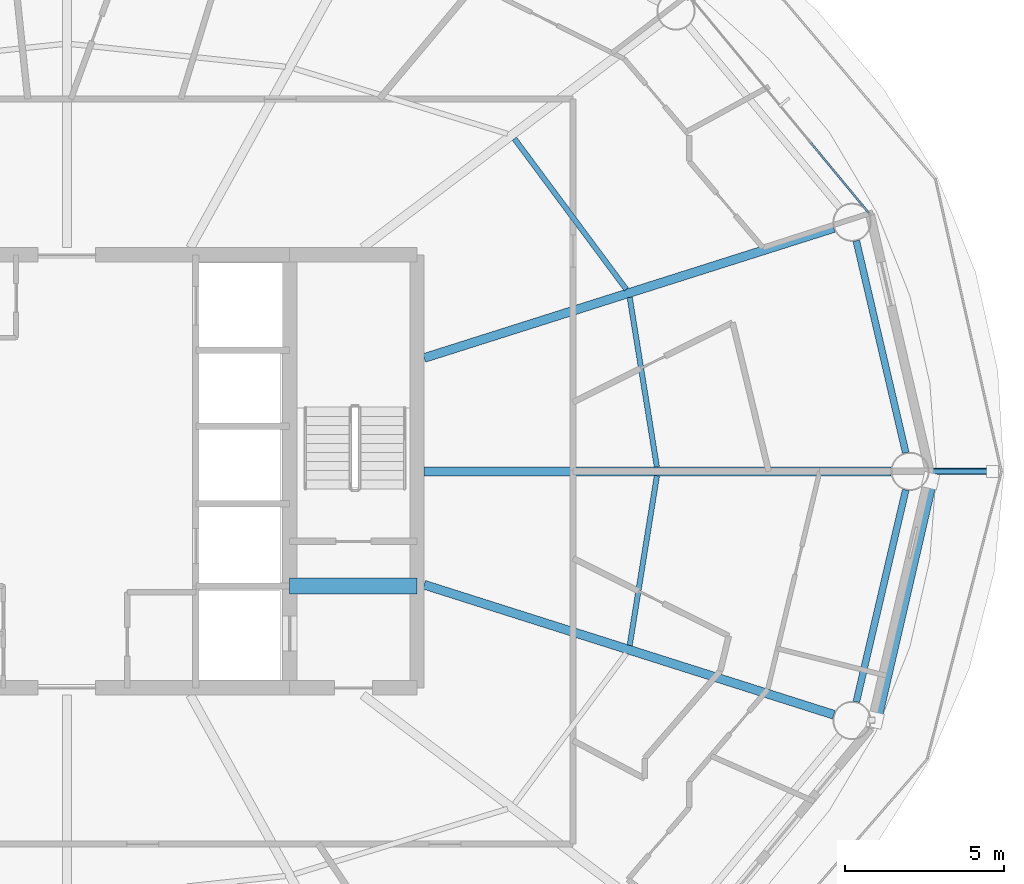
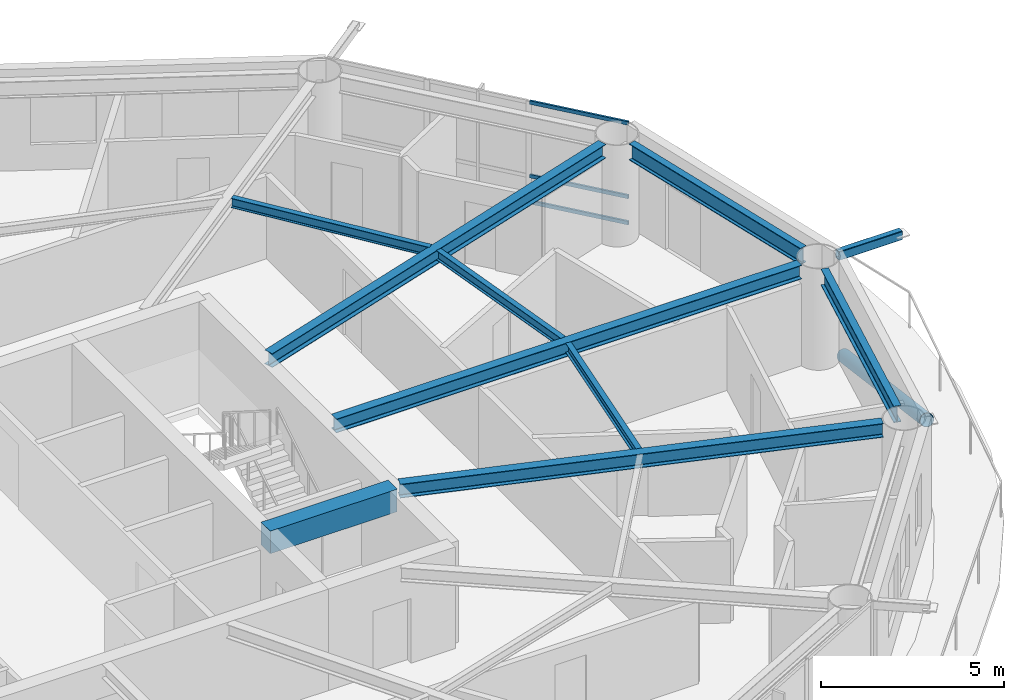
# One storey, part 8 of 28: 9 beams, 5 members, 1 element without a shape of its own.
"""IFC4 building model written with IfcOpenShell, lengths in metres."""

from ifc_helpers import new_model, si_unit, direction, frame, origin, origin_2d, place, context, subcontext, project, spatial, rectangle, hollow_rectangle, hollow_circle, i_section, extrude, material, layer, layer_set, material_profile, profile_set, type_object, element, aggregate, save


model = new_model("IFC4")

# Units and contexts
model_context = context("Model", 3, precision=1e-05, world=origin(), true_north=direction((0.0, 1.0)))
body_context = subcontext(model_context, "Body", "Model", "MODEL_VIEW")
ifc_project = project(units=[si_unit("LENGTHUNIT", "METRE"), si_unit("AREAUNIT", "SQUARE_METRE"), si_unit("VOLUMEUNIT", "CUBIC_METRE"), si_unit("PLANEANGLEUNIT", "RADIAN"), si_unit("MASSUNIT", "GRAM", prefix="KILO")], contexts=[model_context])

# Site, building, storey
site_placement = place(None, origin())
site = spatial("IfcSite", under=ifc_project, at=site_placement, CompositionType="ELEMENT")
building_placement = place(site_placement, origin())
building = spatial("IfcBuilding", under=site, at=building_placement, Name="Sarneth Arch Tower", CompositionType="ELEMENT")
storey_placement = place(building_placement, frame((0.0, 0.0, 179.39990234375)))
storey = spatial("IfcBuildingStorey", under=building, at=storey_placement, Name="L45", CompositionType="ELEMENT", Elevation=179.39990234375)

# Beams
ifc_material_1 = material(Name="Steel S355", Category="steel")
ifc_material_profile_1 = material_profile(ifc_material_1, i_section(OverallWidth=0.1669921875, OverallDepth=0.31689453125, WebThickness=0.007568359375, FlangeThickness=0.01318359375, FilletRadius=0.012939453125, at=origin_2d()), Name="W310x52")
ifc_profile_set_1 = profile_set([ifc_material_profile_1], Name="Steel S355")
beam_type_1 = type_object("IfcBeamType", Name="BM-JOIST-310B", PredefinedType="JOIST", material=ifc_profile_set_1)
beam_1_placement = place(storey_placement, frame((66.533935546875, 42.13818359375, 3.2216796875), z_axis=(-0.158348792374, 0.987383238643, 0.0), x_axis=(-0.987383238643, -0.158348792374, 0.0)))
element("IfcBeam", 1, at=beam_1_placement, inside=storey, type_object=beam_type_1, Name="L45 Secondary floor joist 01", PredefinedType="JOIST", context=body_context, shape_type="SweptSolid", body=[
    extrude(i_section(OverallWidth=0.1669921875, OverallDepth=0.31689453125, WebThickness=0.007568359375, FlangeThickness=0.01318359375, FilletRadius=0.012939453125, at=origin_2d()), origin(), (0.0, 0.0, 1.0), 5.394775390625),
])
beam_2_placement = place(storey_placement, frame((65.57421875, 47.715576171875, 3.2216796875), z_axis=(-0.596190586674, 0.802842938788, 0.0), x_axis=(-0.802842938788, -0.596190586674, 0.0)))
element("IfcBeam", 2, at=beam_2_placement, inside=storey, type_object=beam_type_1, Name="L45 Secondary floor joist 02", PredefinedType="JOIST", context=body_context, shape_type="SweptSolid", body=[
    extrude(i_section(OverallWidth=0.1669921875, OverallDepth=0.31689453125, WebThickness=0.007568359375, FlangeThickness=0.01318359375, FilletRadius=0.012939453125, at=origin_2d()), origin(), (0.0, 0.0, 1.0), 5.896484375),
])
beam_3_placement = place(storey_placement, frame((65.6796875, 36.53515625, 3.2216796875), z_axis=(0.158348792374, 0.987383238643, 0.0), x_axis=(-0.987383238643, 0.158348792374, 0.0)))
element("IfcBeam", 3, at=beam_3_placement, inside=storey, type_object=beam_type_1, Name="L45 Secondary floor joist 16", PredefinedType="JOIST", context=body_context, shape_type="SweptSolid", body=[
    extrude(i_section(OverallWidth=0.1669921875, OverallDepth=0.31689453125, WebThickness=0.007568359375, FlangeThickness=0.01318359375, FilletRadius=0.012939453125, at=origin_2d()), origin(), (0.0, 0.0, 1.0), 5.394775390625),
])
ifc_material_2 = material(Name="Concrete C50/60", Category="concrete")
ifc_material_profile_2 = material_profile(ifc_material_2, rectangle(XDim=0.5, YDim=0.75, at=origin_2d()), Name="RC-500x750")
ifc_profile_set_2 = profile_set([ifc_material_profile_2], Name="Concrete C50/60")
beam_type_2 = type_object("IfcBeamType", Name="BM-LINTEL-RC", PredefinedType="LINTEL", material=ifc_profile_set_2)
beam_4_placement = place(storey_placement, frame((55.0, 38.39990234375, 3.005126953125), z_axis=(1.0, 0.0, 0.0), x_axis=(0.0, 1.0, 0.0)))
element("IfcBeam", 4, at=beam_4_placement, inside=storey, type_object=beam_type_2, Name="L45 Core coupling lintel E", PredefinedType="LINTEL", context=body_context, shape_type="SweptSolid", body=[
    extrude(rectangle(XDim=0.5, YDim=0.75, at=origin_2d()), origin(), (0.0, 0.0, 1.0), 4.0),
])
ifc_material_3 = material(Name="Steel S355", Category="steel")
ifc_material_profile_3 = material_profile(ifc_material_3, i_section(OverallWidth=0.280029296875, OverallDepth=0.462890625, WebThickness=0.0107421875, FlangeThickness=0.017333984375, FilletRadius=0.01806640625, at=origin_2d()), Name="W460x113")
ifc_profile_set_3 = profile_set([ifc_material_profile_3], Name="Steel S355")
beam_type_3 = type_object("IfcBeamType", Name="BM-RAD-460A", PredefinedType="BEAM", material=ifc_profile_set_3)
beam_5_placement = place(storey_placement, frame((59.22509765625, 42.0, 3.148681640625), z_axis=(1.0, 0.0, 0.0), x_axis=(0.0, 1.0, 0.0)))
element("IfcBeam", 5, at=beam_5_placement, inside=storey, type_object=beam_type_3, Name="L45 Radial floor girder 01", PredefinedType="BEAM", context=body_context, shape_type="SweptSolid", body=[
    extrude(i_section(OverallWidth=0.280029296875, OverallDepth=0.462890625, WebThickness=0.0107421875, FlangeThickness=0.017333984375, FilletRadius=0.01806640625, at=origin_2d()), origin(), (0.0, 0.0, 1.0), 14.661865234375),
])
for number, where, z_axis, x_axis, name in (
    (6, (59.22509765625, 45.56201171875, 3.148681640625), (0.95316541071, 0.30244949963, 0.0), (-0.30244949963, 0.95316541071, 0.0), "L45 Radial floor girder 02"),
    (7, (59.22509765625, 38.43798828125, 3.148681640625), (0.95316541071, -0.30244949963, 0.0), (0.30244949963, 0.95316541071, 0.0), "L45 Radial floor girder 16"),
):
    element("IfcBeam", number, at=place(storey_placement, frame(where, z_axis=z_axis, x_axis=x_axis)), inside=storey, type_object=beam_type_3, Name=name, PredefinedType="BEAM", context=body_context, shape_type="SweptSolid", body=[
        extrude(i_section(OverallWidth=0.280029296875, OverallDepth=0.462890625, WebThickness=0.0107421875, FlangeThickness=0.017333984375, FilletRadius=0.01806640625, at=origin_2d()), origin(), (0.0, 0.0, 1.0), 13.497314453125),
    ])
ifc_material_4 = material(Name="Steel S355", Category="steel")
ifc_material_profile_4 = material_profile(ifc_material_4, i_section(OverallWidth=0.214111328125, OverallDepth=0.549072265625, WebThickness=0.0146484375, FlangeThickness=0.023681640625, FilletRadius=0.01806640625, at=origin_2d()), Name="W530x138")
ifc_profile_set_4 = profile_set([ifc_material_profile_4], Name="Steel S355")
beam_type_4 = type_object("IfcBeamType", Name="BM-RAD-530A", PredefinedType="BEAM", material=ifc_profile_set_4)
for number, where, z_axis, x_axis, name in (
    (8, (74.350830078125, 42.584228515625, 3.105712890625), (-0.227109937572, 0.973869126863, 0.0), (-0.973869126863, -0.227109937572, 0.0), "L45 Perimeter spandrel beam 01"),
    (9, (72.79833984375, 34.758544921875, 3.105712890625), (0.227109937572, 0.973869126863, 0.0), (-0.973869126863, 0.227109937572, 0.0), "L45 Perimeter spandrel beam 16"),
):
    element("IfcBeam", number, at=place(storey_placement, frame(where, z_axis=z_axis, x_axis=x_axis)), inside=storey, type_object=beam_type_4, Name=name, PredefinedType="BEAM", context=body_context, shape_type="SweptSolid", body=[
        extrude(i_section(OverallWidth=0.214111328125, OverallDepth=0.549072265625, WebThickness=0.0146484375, FlangeThickness=0.023681640625, FilletRadius=0.01806640625, at=origin_2d()), origin(), (0.0, 0.0, 1.0), 6.8359375),
    ])

# Curtain wall, members
ifc_material_5 = material(Name="Anodised aluminium Type AA25 and solar-control low-e laminated IGU", Category="aluminium")
ifc_layer = layer(ifc_material_5, 0.169921875)
ifc_layer_set = layer_set([ifc_layer], Name="Anodised aluminium Type AA25 and solar-control low-e laminated IGU")
curtain_wall_type = type_object("IfcCurtainWallType", Name="CW-RES-MID", PredefinedType="NOTDEFINED", material=ifc_layer_set)
curtain_wall_placement = place(storey_placement, origin())
curtain_wall = element("IfcCurtainWall", 10, at=curtain_wall_placement, inside=storey, type_object=curtain_wall_type, Name="L45 Unitised curtain wall facet 02", PredefinedType="NOTDEFINED")
ifc_material_6 = material(Name="Anodised Aluminium 6063-T6", Category="aluminium")
ifc_material_profile_5 = material_profile(ifc_material_6, hollow_rectangle(XDim=0.06005859375, YDim=0.1201171875, WallThickness=0.00390625, at=origin_2d()), Name="AL-TRAN-120x60x4")
ifc_profile_set_5 = profile_set([ifc_material_profile_5], Name="Anodised Aluminium 6063-T6")
member_type_1 = type_object("IfcMemberType", Name="CW-TRANSOM", PredefinedType="USERDEFINED", material=ifc_profile_set_5)
member_1_placement = place(storey_placement, frame((73.194091796875, 50.11328125, 0.030029296875), z_axis=(-0.637358651504, 0.770567290607, 0.0), x_axis=(-0.770567290607, -0.637358651504, 0.0)))
member_1 = element("IfcMember", 11, at=member_1_placement, type_object=member_type_1, Name="CW-SYS-5 transom 1.1", ObjectType="TRANSOM", PredefinedType="USERDEFINED", context=body_context, shape_type="SweptSolid", body=[
    extrude(hollow_rectangle(XDim=0.06005859375, YDim=0.1201171875, WallThickness=0.00390625, at=origin_2d()), origin(), (0.0, 0.0, 1.0), 2.8681640625),
])
member_2_placement = place(storey_placement, frame((73.194091796875, 50.11328125, 0.900146484375), z_axis=(-0.637358651504, 0.770567290607, 0.0), x_axis=(-0.770567290607, -0.637358651504, 0.0)))
member_2 = element("IfcMember", 12, at=member_2_placement, type_object=member_type_1, Name="CW-SYS-5 transom 1.2", ObjectType="TRANSOM", PredefinedType="USERDEFINED", context=body_context, shape_type="SweptSolid", body=[
    extrude(hollow_rectangle(XDim=0.06005859375, YDim=0.1201171875, WallThickness=0.00390625, at=origin_2d()), origin(), (0.0, 0.0, 1.0), 2.8681640625),
])
member_3_placement = place(storey_placement, frame((73.194091796875, 50.11328125, 3.35009765625), z_axis=(-0.637358651504, 0.770567290607, 0.0), x_axis=(-0.770567290607, -0.637358651504, 0.0)))
member_3 = element("IfcMember", 13, at=member_3_placement, type_object=member_type_1, Name="CW-SYS-5 transom 1.3", ObjectType="TRANSOM", PredefinedType="USERDEFINED", context=body_context, shape_type="SweptSolid", body=[
    extrude(hollow_rectangle(XDim=0.06005859375, YDim=0.1201171875, WallThickness=0.00390625, at=origin_2d()), origin(), (0.0, 0.0, 1.0), 2.8681640625),
])
aggregate(curtain_wall, [member_1, member_2, member_3])

# Members
ifc_material_7 = material(Name="Steel S355", Category="steel")
ifc_material_profile_6 = material_profile(ifc_material_7, hollow_rectangle(XDim=0.199951171875, YDim=0.300048828125, WallThickness=0.012451171875, InnerFilletRadius=0.018798828125, OuterFilletRadius=0.03125, at=origin_2d()), Name="RHS300x200x12.5")
ifc_profile_set_6 = profile_set([ifc_material_profile_6], Name="Steel S355")
member_type_2 = type_object("IfcMemberType", Name="MEM-CANT-STRUT", PredefinedType="STRUT", material=ifc_profile_set_6)
member_4_placement = place(storey_placement, frame((75.0869140625, 42.0, 3.22021484375), z_axis=(1.0, 0.0, 0.0), x_axis=(0.0, 1.0, 0.0)))
element("IfcMember", 14, at=member_4_placement, inside=storey, type_object=member_type_2, Name="L45 Balcony cantilever bracket 01", PredefinedType="STRUT", context=body_context, shape_type="SweptSolid", body=[
    extrude(hollow_rectangle(XDim=0.199951171875, YDim=0.300048828125, WallThickness=0.012451171875, InnerFilletRadius=0.018798828125, OuterFilletRadius=0.03125, at=origin_2d()), origin(), (0.0, 0.0, 1.0), 1.99169921875),
])
ifc_material_8 = material(Name="Steel S355", Category="steel")
ifc_material_profile_7 = material_profile(ifc_material_8, hollow_circle(Radius=0.202880859375, WallThickness=0.01611328125, at=origin_2d()), Name="CHS406x16")
ifc_profile_set_7 = profile_set([ifc_material_profile_7], Name="Steel S355")
member_type_3 = type_object("IfcMemberType", Name="MEM-DIAG-BR2", PredefinedType="BRACE", material=ifc_profile_set_7)
member_5_placement = place(storey_placement, frame((75.12890625, 41.707763671875, 0.02001953125), z_axis=(-0.209644021591, -0.906906907052, 0.365471265838), x_axis=(0.974306903917, -0.225224459107, 0.0)))
element("IfcMember", 15, at=member_5_placement, inside=storey, type_object=member_type_3, Name="L45 Perimeter frame diagonal 16", PredefinedType="BRACE", context=body_context, shape_type="SweptSolid", body=[
    extrude(hollow_circle(Radius=0.202880859375, WallThickness=0.01611328125, at=origin_2d()), origin(), (0.0, 0.0, 1.0), 8.292724609375),
])

save(model, "model.ifc")
